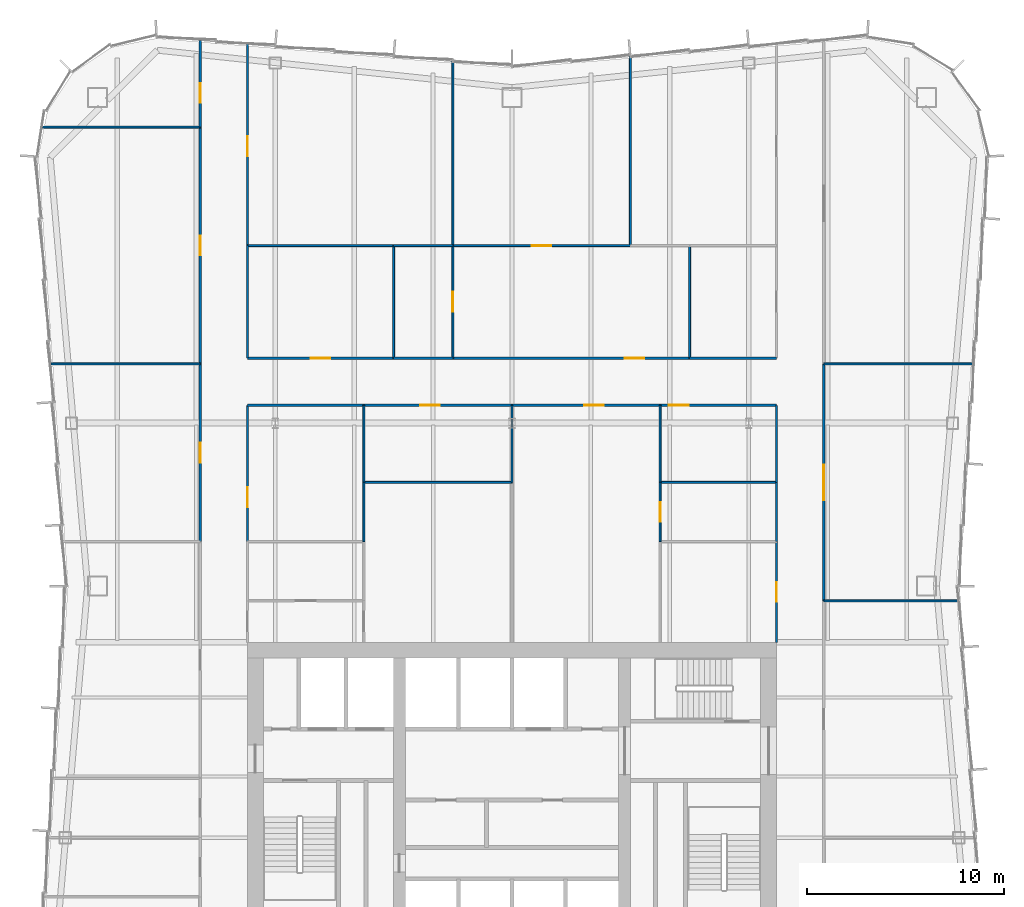
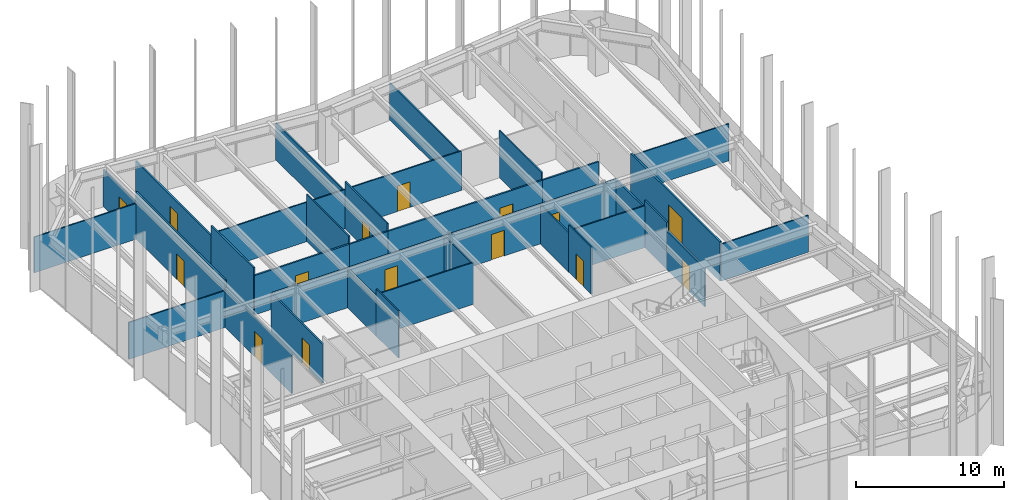
# One storey, part 13 of 15: 37 walls, 15 doors, 15 openings.
"""IFC4 building model written with IfcOpenShell, lengths in metres."""

from ifc_helpers import new_model, si_unit, direction, frame, frame_2d, origin, place, context, subcontext, project, spatial, rectangle, extrude, material, layer, layer_set, type_object, element, fill, save


model = new_model("IFC4")

# Units and contexts
model_context = context("Model", 3, precision=1e-05, world=origin(), true_north=direction((0.0, 1.0)))
body_context = subcontext(model_context, "Body", "Model", "MODEL_VIEW")
ifc_project = project(units=[si_unit("LENGTHUNIT", "METRE"), si_unit("AREAUNIT", "SQUARE_METRE"), si_unit("VOLUMEUNIT", "CUBIC_METRE"), si_unit("PLANEANGLEUNIT", "RADIAN"), si_unit("MASSUNIT", "GRAM", prefix="KILO")], contexts=[model_context])

# Site, building, storey
site_placement = place(None, origin())
site = spatial("IfcSite", under=ifc_project, at=site_placement, CompositionType="ELEMENT")
building_placement = place(site_placement, origin())
building = spatial("IfcBuilding", under=site, at=building_placement, Name="Verdant Reach Tower", CompositionType="ELEMENT")
storey_placement = place(building_placement, frame((0.0, 0.0, 250.0)))
storey = spatial("IfcBuildingStorey", under=building, at=storey_placement, Name="L57", CompositionType="ELEMENT", Elevation=250.0)

# Walls
ifc_material_1 = material(Name="Gypsum board on steel studs", Category="steel")
ifc_layer_1 = layer(ifc_material_1, 0.10009765625)
ifc_layer_set_1 = layer_set([ifc_layer_1], Name="FL-W1 Partition 100")
wall_type_1 = type_object("IfcWallType", Name="FL-W1 Partition 100", PredefinedType="PARTITIONING", material=ifc_layer_set_1)
wall_1_placement = place(storey_placement, frame((-15.800048828125, 52.5, 0.0), z_axis=(0.0, 0.0, 1.0), x_axis=(-1.0, 0.0, 0.0)))
element("IfcWall", 1, at=wall_1_placement, inside=storey, type_object=wall_type_1, Name="Partition 57.39", PredefinedType="PARTITIONING", context=body_context, shape_type="SweptSolid", body=[
    extrude(rectangle(XDim=7.555908203125, YDim=0.10009765625, at=frame_2d((3.77783203125, 0.0))), origin(), (0.0, 0.0, 1.0), 3.0400390625),
])
wall_2_placement = place(storey_placement, frame((-15.800048828125, 64.5, 0.0), z_axis=(0.0, 0.0, 1.0), x_axis=(-1.0, 0.0, 0.0)))
element("IfcWall", 2, at=wall_2_placement, inside=storey, type_object=wall_type_1, Name="Partition 57.40", PredefinedType="PARTITIONING", context=body_context, shape_type="SweptSolid", body=[
    extrude(rectangle(XDim=7.9814453125, YDim=0.10009765625, at=frame_2d((3.99072265625, 0.0))), origin(), (0.0, 0.0, 1.0), 2.929931640625),
])
wall_3_placement = place(storey_placement, frame((22.631591796875, 40.5, 0.0), z_axis=(0.0, 0.0, 1.0), x_axis=(-1.0, 0.0, 0.0)))
element("IfcWall", 3, at=wall_3_placement, inside=storey, type_object=wall_type_1, Name="Partition 57.43", PredefinedType="PARTITIONING", context=body_context, shape_type="SweptSolid", body=[
    extrude(rectangle(XDim=6.83154296875, YDim=0.10009765625, at=frame_2d((3.415771484375, 0.0))), origin(), (0.0, 0.0, 1.0), 3.0400390625),
])
wall_4_placement = place(storey_placement, frame((23.35595703125, 52.5, 0.0), z_axis=(0.0, 0.0, 1.0), x_axis=(-1.0, 0.0, 0.0)))
element("IfcWall", 4, at=wall_4_placement, inside=storey, type_object=wall_type_1, Name="Partition 57.44", PredefinedType="PARTITIONING", context=body_context, shape_type="SweptSolid", body=[
    extrude(rectangle(XDim=7.555908203125, YDim=0.10009765625, at=frame_2d((3.77783203125, 0.0))), origin(), (0.0, 0.0, 1.0), 3.0400390625),
])
wall_5_placement = place(storey_placement, frame((-7.5, 43.49609375, 0.0), z_axis=(0.0, 0.0, 1.0), x_axis=(0.0, 1.0, 0.0)))
element("IfcWall", 5, at=wall_5_placement, inside=storey, type_object=wall_type_1, Name="Partition 57.52", PredefinedType="PARTITIONING", context=body_context, shape_type="SweptSolid", body=[
    extrude(rectangle(XDim=3.00390625, YDim=0.10009765625, at=frame_2d((1.501953125, 0.0))), origin(), (0.0, 0.0, 1.0), 3.8701171875),
])
wall_6_placement = place(storey_placement, frame((-7.5, 46.5, 0.0), z_axis=(0.0, 0.0, 1.0), x_axis=(0.0, 1.0, 0.0)))
element("IfcWall", 6, at=wall_6_placement, inside=storey, type_object=wall_type_1, Name="Partition 57.53", PredefinedType="PARTITIONING", context=body_context, shape_type="SweptSolid", body=[
    extrude(rectangle(XDim=3.89990234375, YDim=0.10009765625, at=frame_2d((1.949951171875, 0.0))), origin(), (0.0, 0.0, 1.0), 3.239990234375),
])
wall_7_placement = place(storey_placement, frame((0.0, 46.5, 0.0), z_axis=(0.0, 0.0, 1.0), x_axis=(-1.0, 0.0, 0.0)))
element("IfcWall", 7, at=wall_7_placement, inside=storey, type_object=wall_type_1, Name="Partition 57.54", PredefinedType="PARTITIONING", context=body_context, shape_type="SweptSolid", body=[
    extrude(rectangle(XDim=7.5, YDim=0.10009765625, at=frame_2d((3.75, 0.0))), origin(), (0.0, 0.0, 1.0), 3.43994140625),
])
wall_8_placement = place(storey_placement, frame((0.0, 46.49609375, 0.0), z_axis=(0.0, 0.0, 1.0), x_axis=(0.0, 1.0, 0.0)))
element("IfcWall", 8, at=wall_8_placement, inside=storey, type_object=wall_type_1, Name="Partition 57.56", PredefinedType="PARTITIONING", context=body_context, shape_type="SweptSolid", body=[
    extrude(rectangle(XDim=3.90380859375, YDim=0.10009765625, at=frame_2d((1.951904296875, 0.0))), origin(), (0.0, 0.0, 1.0), 3.2900390625),
])
wall_9_placement = place(storey_placement, frame((13.39990234375, 46.5, 0.0), z_axis=(0.0, 0.0, 1.0), x_axis=(-1.0, 0.0, 0.0)))
element("IfcWall", 9, at=wall_9_placement, inside=storey, type_object=wall_type_1, Name="Partition 57.59", PredefinedType="PARTITIONING", context=body_context, shape_type="SweptSolid", body=[
    extrude(rectangle(XDim=5.89990234375, YDim=0.10009765625, at=frame_2d((2.949951171875, 0.0))), origin(), (0.0, 0.0, 1.0), 3.43994140625),
])

# Wall, opening, door
wall_10_placement = place(storey_placement, frame((7.5, 46.50390625, 0.0), z_axis=(0.0, 0.0, 1.0), x_axis=(0.0, -1.0, 0.0)))
wall_10 = element("IfcWall", 10, at=wall_10_placement, inside=storey, type_object=wall_type_1, Name="Partition 57.60", PredefinedType="PARTITIONING", context=body_context, shape_type="SweptSolid", body=[
    extrude(rectangle(XDim=3.0078125, YDim=0.10009765625, at=frame_2d((1.50390625, 0.0))), origin(), (0.0, 0.0, 1.0), 3.8701171875),
])
opening_1_placement = place(wall_10_placement, frame((1.00390625, 0.0, 0.0)))
opening_1 = element("IfcOpeningElement", 11, at=opening_1_placement, cuts=wall_10, Name="Opening D3", PredefinedType="OPENING", context=body_context, shape_type="SweptSolid", body=[
    extrude(rectangle(XDim=1.0, YDim=2.10009765625, at=frame_2d((0.5, 1.050048828125))), frame((0.0, 0.06005859375, 0.0), z_axis=(0.0, -1.0, 0.0), x_axis=(1.0, 0.0, 0.0)), (0.0, 0.0, 1.0), 0.1201171875),
])
ifc_material_2 = material(Name="Painted timber door leaf", Category="wood")
door_type_1 = type_object("IfcDoorType", Name="FL-D3 Door 1000x2100", OperationType="NOTDEFINED", PredefinedType="DOOR", material=ifc_material_2)
door_1_placement = place(opening_1_placement, origin())
door_1 = element("IfcDoor", 12, at=door_1_placement, inside=storey, type_object=door_type_1, Name="Door 57-031", OperationType="SINGLE_SWING_LEFT", OverallHeight=2.10009765625, OverallWidth=1.0, PredefinedType="DOOR", context=body_context, shape_type="SweptSolid", body=[
    extrude(rectangle(XDim=1.0, YDim=2.10009765625, at=frame_2d((0.5, 1.050048828125))), frame((0.0, 0.02490234375, 0.0), z_axis=(0.0, -1.0, 0.0), x_axis=(1.0, 0.0, 0.0)), (0.0, 0.0, 1.0), 0.050048828125),
])
fill(opening_1, door_1)

# Walls
wall_11_placement = place(storey_placement, frame((7.5, 50.39990234375, 0.0), z_axis=(0.0, 0.0, 1.0), x_axis=(0.0, -1.0, 0.0)))
element("IfcWall", 13, at=wall_11_placement, inside=storey, type_object=wall_type_1, Name="Partition 57.61", PredefinedType="PARTITIONING", context=body_context, shape_type="SweptSolid", body=[
    extrude(rectangle(XDim=3.90380859375, YDim=0.10009765625, at=frame_2d((1.951904296875, 0.0))), origin(), (0.0, 0.0, 1.0), 3.239990234375),
])
wall_12_placement = place(storey_placement, frame((-6.0, 52.800048828125, 0.0), z_axis=(0.0, 0.0, 1.0), x_axis=(0.0, 1.0, 0.0)))
element("IfcWall", 14, at=wall_12_placement, inside=storey, type_object=wall_type_1, Name="Partition 57.62", PredefinedType="PARTITIONING", context=body_context, shape_type="SweptSolid", body=[
    extrude(rectangle(XDim=5.699951171875, YDim=0.10009765625, at=frame_2d((2.85009765625, 0.0))), origin(), (0.0, 0.0, 1.0), 3.8701171875),
])
wall_13_placement = place(storey_placement, frame((-5.99609375, 58.5, 0.0), z_axis=(0.0, 0.0, 1.0), x_axis=(-1.0, 0.0, 0.0)))
element("IfcWall", 15, at=wall_13_placement, inside=storey, type_object=wall_type_1, Name="Partition 57.63", PredefinedType="PARTITIONING", context=body_context, shape_type="SweptSolid", body=[
    extrude(rectangle(XDim=7.40380859375, YDim=0.10009765625, at=frame_2d((3.701904296875, 0.0))), origin(), (0.0, 0.0, 1.0), 3.239990234375),
])

# Wall, opening, door
wall_14_placement = place(storey_placement, frame((-3.0, 52.800048828125, 0.0), z_axis=(0.0, 0.0, 1.0), x_axis=(0.0, 1.0, 0.0)))
wall_14 = element("IfcWall", 16, at=wall_14_placement, inside=storey, type_object=wall_type_1, Name="Partition 57.64", PredefinedType="PARTITIONING", context=body_context, shape_type="SweptSolid", body=[
    extrude(rectangle(XDim=5.699951171875, YDim=0.10009765625, at=frame_2d((2.85009765625, 0.0))), origin(), (0.0, 0.0, 1.0), 3.8701171875),
])
opening_2_placement = place(wall_14_placement, frame((2.35009765625, 0.0, 0.0)))
opening_2 = element("IfcOpeningElement", 17, at=opening_2_placement, cuts=wall_14, Name="Opening D3", PredefinedType="OPENING", context=body_context, shape_type="SweptSolid", body=[
    extrude(rectangle(XDim=1.0, YDim=2.10009765625, at=frame_2d((0.5, 1.050048828125))), frame((0.0, 0.06005859375, 0.0), z_axis=(0.0, -1.0, 0.0), x_axis=(1.0, 0.0, 0.0)), (0.0, 0.0, 1.0), 0.1201171875),
])
door_2_placement = place(opening_2_placement, origin())
door_2 = element("IfcDoor", 18, at=door_2_placement, inside=storey, type_object=door_type_1, Name="Door 57-032", OperationType="SINGLE_SWING_RIGHT", OverallHeight=2.10009765625, OverallWidth=1.0, PredefinedType="DOOR", context=body_context, shape_type="SweptSolid", body=[
    extrude(rectangle(XDim=1.0, YDim=2.10009765625, at=frame_2d((0.5, 1.050048828125))), frame((0.0, 0.02490234375, 0.0), z_axis=(0.0, -1.0, 0.0), x_axis=(1.0, 0.0, 0.0)), (0.0, 0.0, 1.0), 0.050048828125),
])
fill(opening_2, door_2)

# Walls
wall_15_placement = place(storey_placement, frame((-3.0, 58.5, 0.0), z_axis=(0.0, 0.0, 1.0), x_axis=(-1.0, 0.0, 0.0)))
element("IfcWall", 19, at=wall_15_placement, inside=storey, type_object=wall_type_1, Name="Partition 57.65", PredefinedType="PARTITIONING", context=body_context, shape_type="SweptSolid", body=[
    extrude(rectangle(XDim=3.00390625, YDim=0.10009765625, at=frame_2d((1.501953125, 0.0))), origin(), (0.0, 0.0, 1.0), 3.239990234375),
])
wall_16_placement = place(storey_placement, frame((9.0, 52.800048828125, 0.0), z_axis=(0.0, 0.0, 1.0), x_axis=(0.0, 1.0, 0.0)))
element("IfcWall", 20, at=wall_16_placement, inside=storey, type_object=wall_type_1, Name="Partition 57.66", PredefinedType="PARTITIONING", context=body_context, shape_type="SweptSolid", body=[
    extrude(rectangle(XDim=5.699951171875, YDim=0.10009765625, at=frame_2d((2.85009765625, 0.0))), origin(), (0.0, 0.0, 1.0), 3.8701171875),
])

# Wall, opening, door
wall_17_placement = place(storey_placement, frame((-3.0, 58.5, 0.0), z_axis=(0.0, 0.0, 1.0), x_axis=(1.0, 0.0, 0.0)))
wall_17 = element("IfcWall", 21, at=wall_17_placement, inside=storey, type_object=wall_type_1, Name="Partition 57.67", PredefinedType="PARTITIONING", context=body_context, shape_type="SweptSolid", body=[
    extrude(rectangle(XDim=9.0, YDim=0.10009765625, at=frame_2d((4.5, 0.0))), origin(), (0.0, 0.0, 1.0), 3.239990234375),
])
opening_3_placement = place(wall_17_placement, frame((4.0, 0.0, 0.0)))
opening_3 = element("IfcOpeningElement", 22, at=opening_3_placement, cuts=wall_17, Name="Opening D3", PredefinedType="OPENING", context=body_context, shape_type="SweptSolid", body=[
    extrude(rectangle(XDim=1.0, YDim=2.10009765625, at=frame_2d((0.5, 1.050048828125))), frame((0.0, 0.06005859375, 0.0), z_axis=(0.0, -1.0, 0.0), x_axis=(1.0, 0.0, 0.0)), (0.0, 0.0, 1.0), 0.1201171875),
])
door_3_placement = place(opening_3_placement, origin())
door_3 = element("IfcDoor", 23, at=door_3_placement, inside=storey, type_object=door_type_1, Name="Door 57-033", OperationType="SINGLE_SWING_LEFT", OverallHeight=2.10009765625, OverallWidth=1.0, PredefinedType="DOOR", context=body_context, shape_type="SweptSolid", body=[
    extrude(rectangle(XDim=1.0, YDim=2.10009765625, at=frame_2d((0.5, 1.050048828125))), frame((0.0, 0.02490234375, 0.0), z_axis=(0.0, -1.0, 0.0), x_axis=(1.0, 0.0, 0.0)), (0.0, 0.0, 1.0), 0.050048828125),
])
fill(opening_3, door_3)

# Walls
wall_18_placement = place(storey_placement, frame((-3.0, 58.5, 0.0), z_axis=(0.0, 0.0, 1.0), x_axis=(0.0, 1.0, 0.0)))
element("IfcWall", 24, at=wall_18_placement, inside=storey, type_object=wall_type_1, Name="Partition 57.70", PredefinedType="PARTITIONING", context=body_context, shape_type="SweptSolid", body=[
    extrude(rectangle(XDim=9.330078125, YDim=0.10009765625, at=frame_2d((4.6650390625, 0.0))), origin(), (0.0, 0.0, 1.0), 3.0400390625),
])
wall_19_placement = place(storey_placement, frame((6.0, 58.5, 0.0), z_axis=(0.0, 0.0, 1.0), x_axis=(0.0, 1.0, 0.0)))
element("IfcWall", 25, at=wall_19_placement, inside=storey, type_object=wall_type_1, Name="Partition 57.71", PredefinedType="PARTITIONING", context=body_context, shape_type="SweptSolid", body=[
    extrude(rectangle(XDim=9.580078125, YDim=0.10009765625, at=frame_2d((4.7900390625, 0.0))), origin(), (0.0, 0.0, 1.0), 3.0400390625),
])

# Wall, opening, door
ifc_material_3 = material(Name="Gypsum board on steel studs, fire rated", Category="steel")
ifc_layer_2 = layer(ifc_material_3, 0.125)
ifc_layer_set_2 = layer_set([ifc_layer_2], Name="FL-W2 Corridor wall 125")
wall_type_2 = type_object("IfcWallType", Name="FL-W2 Corridor wall 125", PredefinedType="PARTITIONING", material=ifc_layer_set_2)
wall_20_placement = place(storey_placement, frame((-15.800048828125, 43.5, 0.0), z_axis=(0.0, 0.0, 1.0), x_axis=(0.0, 1.0, 0.0)))
wall_20 = element("IfcWall", 26, at=wall_20_placement, inside=storey, type_object=wall_type_2, Name="Partition 57.06", PredefinedType="PARTITIONING", context=body_context, shape_type="SweptSolid", body=[
    extrude(rectangle(XDim=9.0, YDim=0.125, at=frame_2d((4.5, 0.0))), origin(), (0.0, 0.0, 1.0), 3.239990234375),
])
opening_4_placement = place(wall_20_placement, frame((4.0, 0.0, 0.0)))
opening_4 = element("IfcOpeningElement", 27, at=opening_4_placement, cuts=wall_20, Name="Opening D2", PredefinedType="OPENING", context=body_context, shape_type="SweptSolid", body=[
    extrude(rectangle(XDim=1.0, YDim=2.10009765625, at=frame_2d((0.5, 1.050048828125))), frame((0.0, 0.072509765625, 0.0), z_axis=(0.0, -1.0, 0.0), x_axis=(1.0, 0.0, 0.0)), (0.0, 0.0, 1.0), 0.14501953125),
])
ifc_material_4 = material(Name="Timber door leaf, fire rated", Category="wood")
door_type_2 = type_object("IfcDoorType", Name="FL-D2 Entrance door 1000x2100 FD30", OperationType="NOTDEFINED", PredefinedType="DOOR", material=ifc_material_4)
door_4_placement = place(opening_4_placement, origin())
door_4 = element("IfcDoor", 28, at=door_4_placement, inside=storey, type_object=door_type_2, Name="Door 57-006", OperationType="SINGLE_SWING_RIGHT", OverallHeight=2.10009765625, OverallWidth=1.0, PredefinedType="DOOR", context=body_context, shape_type="SweptSolid", body=[
    extrude(rectangle(XDim=1.0, YDim=2.10009765625, at=frame_2d((0.5, 1.050048828125))), frame((0.0, 0.02490234375, 0.0), z_axis=(0.0, -1.0, 0.0), x_axis=(1.0, 0.0, 0.0)), (0.0, 0.0, 1.0), 0.050048828125),
])
fill(opening_4, door_4)

wall_21_placement = place(storey_placement, frame((-15.800048828125, 52.5, 0.0), z_axis=(0.0, 0.0, 1.0), x_axis=(0.0, 1.0, 0.0)))
wall_21 = element("IfcWall", 29, at=wall_21_placement, inside=storey, type_object=wall_type_2, Name="Partition 57.07", PredefinedType="PARTITIONING", context=body_context, shape_type="SweptSolid", body=[
    extrude(rectangle(XDim=12.0, YDim=0.125, at=frame_2d((6.0, 0.0))), origin(), (0.0, 0.0, 1.0), 3.8701171875),
])
opening_5_placement = place(wall_21_placement, frame((5.5, 0.0, 0.0)))
opening_5 = element("IfcOpeningElement", 30, at=opening_5_placement, cuts=wall_21, Name="Opening D2", PredefinedType="OPENING", context=body_context, shape_type="SweptSolid", body=[
    extrude(rectangle(XDim=1.0, YDim=2.10009765625, at=frame_2d((0.5, 1.050048828125))), frame((0.0, 0.072509765625, 0.0), z_axis=(0.0, -1.0, 0.0), x_axis=(1.0, 0.0, 0.0)), (0.0, 0.0, 1.0), 0.14501953125),
])
door_5_placement = place(opening_5_placement, origin())
door_5 = element("IfcDoor", 31, at=door_5_placement, inside=storey, type_object=door_type_2, Name="Door 57-007", OperationType="SINGLE_SWING_LEFT", OverallHeight=2.10009765625, OverallWidth=1.0, PredefinedType="DOOR", context=body_context, shape_type="SweptSolid", body=[
    extrude(rectangle(XDim=1.0, YDim=2.10009765625, at=frame_2d((0.5, 1.050048828125))), frame((0.0, 0.02490234375, 0.0), z_axis=(0.0, -1.0, 0.0), x_axis=(1.0, 0.0, 0.0)), (0.0, 0.0, 1.0), 0.050048828125),
])
fill(opening_5, door_5)

wall_22_placement = place(storey_placement, frame((-15.800048828125, 64.5, 0.0), z_axis=(0.0, 0.0, 1.0), x_axis=(0.0, 1.0, 0.0)))
wall_22 = element("IfcWall", 32, at=wall_22_placement, inside=storey, type_object=wall_type_2, Name="Partition 57.08", PredefinedType="PARTITIONING", context=body_context, shape_type="SweptSolid", body=[
    extrude(rectangle(XDim=4.396728515625, YDim=0.125, at=frame_2d((2.1982421875, 0.0))), origin(), (0.0, 0.0, 1.0), 3.0400390625),
])
opening_6_placement = place(wall_22_placement, frame((1.233154296875, 0.0, 0.0)))
opening_6 = element("IfcOpeningElement", 33, at=opening_6_placement, cuts=wall_22, Name="Opening D2", PredefinedType="OPENING", context=body_context, shape_type="SweptSolid", body=[
    extrude(rectangle(XDim=1.0, YDim=2.10009765625, at=frame_2d((0.5, 1.050048828125))), frame((0.0, 0.072509765625, 0.0), z_axis=(0.0, -1.0, 0.0), x_axis=(1.0, 0.0, 0.0)), (0.0, 0.0, 1.0), 0.14501953125),
])
door_6_placement = place(opening_6_placement, origin())
door_6 = element("IfcDoor", 34, at=door_6_placement, inside=storey, type_object=door_type_2, Name="Door 57-008", OperationType="SINGLE_SWING_LEFT", OverallHeight=2.10009765625, OverallWidth=1.0, PredefinedType="DOOR", context=body_context, shape_type="SweptSolid", body=[
    extrude(rectangle(XDim=1.0, YDim=2.10009765625, at=frame_2d((0.5, 1.050048828125))), frame((0.0, 0.02490234375, 0.0), z_axis=(0.0, -1.0, 0.0), x_axis=(1.0, 0.0, 0.0)), (0.0, 0.0, 1.0), 0.050048828125),
])
fill(opening_6, door_6)

wall_23_placement = place(storey_placement, frame((15.800048828125, 40.5, 0.0), z_axis=(0.0, 0.0, 1.0), x_axis=(0.0, 1.0, 0.0)))
wall_23 = element("IfcWall", 35, at=wall_23_placement, inside=storey, type_object=wall_type_2, Name="Partition 57.12", PredefinedType="PARTITIONING", context=body_context, shape_type="SweptSolid", body=[
    extrude(rectangle(XDim=12.0, YDim=0.125, at=frame_2d((6.0, 0.0))), origin(), (0.0, 0.0, 1.0), 3.239990234375),
])
opening_7_placement = place(wall_23_placement, frame((5.10009765625, 0.0, 0.0)))
opening_7 = element("IfcOpeningElement", 36, at=opening_7_placement, cuts=wall_23, Name="Opening D4", PredefinedType="OPENING", context=body_context, shape_type="SweptSolid", body=[
    extrude(rectangle(XDim=1.800048828125, YDim=2.10009765625, at=frame_2d((0.89990234375, 1.050048828125))), frame((0.0, 0.072509765625, 0.0), z_axis=(0.0, -1.0, 0.0), x_axis=(1.0, 0.0, 0.0)), (0.0, 0.0, 1.0), 0.14501953125),
])
ifc_material_5 = material(Name="Timber door leaves, fire rated", Category="wood")
door_type_3 = type_object("IfcDoorType", Name="FL-D4 Double door 1800x2100 FD30", OperationType="DOUBLE_DOOR_SINGLE_SWING", PredefinedType="DOOR", material=ifc_material_5)
door_7_placement = place(opening_7_placement, origin())
door_7 = element("IfcDoor", 37, at=door_7_placement, inside=storey, type_object=door_type_3, Name="Door 57-012", OperationType="DOUBLE_DOOR_SINGLE_SWING", OverallHeight=2.10009765625, OverallWidth=1.800048828125, PredefinedType="DOOR", context=body_context, shape_type="SweptSolid", body=[
    extrude(rectangle(XDim=1.800048828125, YDim=2.10009765625, at=frame_2d((0.89990234375, 1.050048828125))), frame((0.0, 0.02490234375, 0.0), z_axis=(0.0, -1.0, 0.0), x_axis=(1.0, 0.0, 0.0)), (0.0, 0.0, 1.0), 0.050048828125),
])
fill(opening_7, door_7)

wall_24_placement = place(storey_placement, frame((-13.39990234375, 50.39990234375, 0.0), z_axis=(0.0, 0.0, 1.0), x_axis=(0.0, -1.0, 0.0)))
wall_24 = element("IfcWall", 38, at=wall_24_placement, inside=storey, type_object=wall_type_2, Name="Partition 57.18", PredefinedType="PARTITIONING", context=body_context, shape_type="SweptSolid", body=[
    extrude(rectangle(XDim=6.89990234375, YDim=0.125, at=frame_2d((3.449951171875, 0.0))), origin(), (0.0, 0.0, 1.0), 3.239990234375),
])
opening_8_placement = place(wall_24_placement, frame((4.14990234375, 0.0, 0.0)))
opening_8 = element("IfcOpeningElement", 39, at=opening_8_placement, cuts=wall_24, Name="Opening D2", PredefinedType="OPENING", context=body_context, shape_type="SweptSolid", body=[
    extrude(rectangle(XDim=1.0, YDim=2.10009765625, at=frame_2d((0.5, 1.050048828125))), frame((0.0, 0.072509765625, 0.0), z_axis=(0.0, -1.0, 0.0), x_axis=(1.0, 0.0, 0.0)), (0.0, 0.0, 1.0), 0.14501953125),
])
door_8_placement = place(opening_8_placement, origin())
door_8 = element("IfcDoor", 40, at=door_8_placement, inside=storey, type_object=door_type_2, Name="Door 57-017", OperationType="SINGLE_SWING_RIGHT", OverallHeight=2.10009765625, OverallWidth=1.0, PredefinedType="DOOR", context=body_context, shape_type="SweptSolid", body=[
    extrude(rectangle(XDim=1.0, YDim=2.10009765625, at=frame_2d((0.5, 1.050048828125))), frame((0.0, 0.02490234375, 0.0), z_axis=(0.0, -1.0, 0.0), x_axis=(1.0, 0.0, 0.0)), (0.0, 0.0, 1.0), 0.050048828125),
])
fill(opening_8, door_8)

# Wall
wall_25_placement = place(storey_placement, frame((-7.5, 50.39990234375, 0.0), z_axis=(0.0, 0.0, 1.0), x_axis=(-1.0, 0.0, 0.0)))
element("IfcWall", 41, at=wall_25_placement, inside=storey, type_object=wall_type_2, Name="Partition 57.19", PredefinedType="PARTITIONING", context=body_context, shape_type="SweptSolid", body=[
    extrude(rectangle(XDim=5.89990234375, YDim=0.125, at=frame_2d((2.949951171875, 0.0))), origin(), (0.0, 0.0, 1.0), 3.239990234375),
])

# Wall, opening, door
wall_26_placement = place(storey_placement, frame((0.0, 50.39990234375, 0.0), z_axis=(0.0, 0.0, 1.0), x_axis=(-1.0, 0.0, 0.0)))
wall_26 = element("IfcWall", 42, at=wall_26_placement, inside=storey, type_object=wall_type_2, Name="Partition 57.20", PredefinedType="PARTITIONING", context=body_context, shape_type="SweptSolid", body=[
    extrude(rectangle(XDim=7.5, YDim=0.125, at=frame_2d((3.75, 0.0))), origin(), (0.0, 0.0, 1.0), 3.239990234375),
])
opening_9_placement = place(wall_26_placement, frame((3.64990234375, 0.0, 0.0)))
opening_9 = element("IfcOpeningElement", 43, at=opening_9_placement, cuts=wall_26, Name="Opening D2", PredefinedType="OPENING", context=body_context, shape_type="SweptSolid", body=[
    extrude(rectangle(XDim=1.0, YDim=2.10009765625, at=frame_2d((0.5, 1.050048828125))), frame((0.0, 0.072509765625, 0.0), z_axis=(0.0, -1.0, 0.0), x_axis=(1.0, 0.0, 0.0)), (0.0, 0.0, 1.0), 0.14501953125),
])
door_9_placement = place(opening_9_placement, origin())
door_9 = element("IfcDoor", 44, at=door_9_placement, inside=storey, type_object=door_type_2, Name="Door 57-018", OperationType="SINGLE_SWING_RIGHT", OverallHeight=2.10009765625, OverallWidth=1.0, PredefinedType="DOOR", context=body_context, shape_type="SweptSolid", body=[
    extrude(rectangle(XDim=1.0, YDim=2.10009765625, at=frame_2d((0.5, 1.050048828125))), frame((0.0, 0.02490234375, 0.0), z_axis=(0.0, -1.0, 0.0), x_axis=(1.0, 0.0, 0.0)), (0.0, 0.0, 1.0), 0.050048828125),
])
fill(opening_9, door_9)

wall_27_placement = place(storey_placement, frame((13.39990234375, 38.39990234375, 0.0), z_axis=(0.0, 0.0, 1.0), x_axis=(0.0, 1.0, 0.0)))
wall_27 = element("IfcWall", 45, at=wall_27_placement, inside=storey, type_object=wall_type_2, Name="Partition 57.21", PredefinedType="PARTITIONING", context=body_context, shape_type="SweptSolid", body=[
    extrude(rectangle(XDim=5.10009765625, YDim=0.125, at=frame_2d((2.550048828125, 0.0))), origin(), (0.0, 0.0, 1.0), 3.139892578125),
])
opening_10_placement = place(wall_27_placement, frame((2.050048828125, 0.0, 0.0)))
opening_10 = element("IfcOpeningElement", 46, at=opening_10_placement, cuts=wall_27, Name="Opening D2", PredefinedType="OPENING", context=body_context, shape_type="SweptSolid", body=[
    extrude(rectangle(XDim=1.0, YDim=2.10009765625, at=frame_2d((0.5, 1.050048828125))), frame((0.0, 0.072509765625, 0.0), z_axis=(0.0, -1.0, 0.0), x_axis=(1.0, 0.0, 0.0)), (0.0, 0.0, 1.0), 0.14501953125),
])
door_10_placement = place(opening_10_placement, origin())
door_10 = element("IfcDoor", 47, at=door_10_placement, inside=storey, type_object=door_type_2, Name="Door 57-019", OperationType="SINGLE_SWING_LEFT", OverallHeight=2.10009765625, OverallWidth=1.0, PredefinedType="DOOR", context=body_context, shape_type="SweptSolid", body=[
    extrude(rectangle(XDim=1.0, YDim=2.10009765625, at=frame_2d((0.5, 1.050048828125))), frame((0.0, 0.02490234375, 0.0), z_axis=(0.0, -1.0, 0.0), x_axis=(1.0, 0.0, 0.0)), (0.0, 0.0, 1.0), 0.050048828125),
])
fill(opening_10, door_10)

# Wall
wall_28_placement = place(storey_placement, frame((13.39990234375, 43.5, 0.0), z_axis=(0.0, 0.0, 1.0), x_axis=(0.0, 1.0, 0.0)))
element("IfcWall", 48, at=wall_28_placement, inside=storey, type_object=wall_type_2, Name="Partition 57.22", PredefinedType="PARTITIONING", context=body_context, shape_type="SweptSolid", body=[
    extrude(rectangle(XDim=3.0, YDim=0.125, at=frame_2d((1.5, 0.0))), origin(), (0.0, 0.0, 1.0), 3.8701171875),
])

# Wall, opening, door
wall_29_placement = place(storey_placement, frame((13.39990234375, 50.39990234375, 0.0), z_axis=(0.0, 0.0, 1.0), x_axis=(-1.0, 0.0, 0.0)))
wall_29 = element("IfcWall", 49, at=wall_29_placement, inside=storey, type_object=wall_type_2, Name="Partition 57.23", PredefinedType="PARTITIONING", context=body_context, shape_type="SweptSolid", body=[
    extrude(rectangle(XDim=5.89990234375, YDim=0.125, at=frame_2d((2.949951171875, 0.0))), origin(), (0.0, 0.0, 1.0), 3.239990234375),
])
opening_11_placement = place(wall_29_placement, frame((4.449951171875, 0.0, 0.0)))
opening_11 = element("IfcOpeningElement", 50, at=opening_11_placement, cuts=wall_29, Name="Opening D2", PredefinedType="OPENING", context=body_context, shape_type="SweptSolid", body=[
    extrude(rectangle(XDim=1.0, YDim=2.10009765625, at=frame_2d((0.5, 1.050048828125))), frame((0.0, 0.072509765625, 0.0), z_axis=(0.0, -1.0, 0.0), x_axis=(1.0, 0.0, 0.0)), (0.0, 0.0, 1.0), 0.14501953125),
])
door_11_placement = place(opening_11_placement, origin())
door_11 = element("IfcDoor", 51, at=door_11_placement, inside=storey, type_object=door_type_2, Name="Door 57-020", OperationType="SINGLE_SWING_RIGHT", OverallHeight=2.10009765625, OverallWidth=1.0, PredefinedType="DOOR", context=body_context, shape_type="SweptSolid", body=[
    extrude(rectangle(XDim=1.0, YDim=2.10009765625, at=frame_2d((0.5, 1.050048828125))), frame((0.0, 0.02490234375, 0.0), z_axis=(0.0, -1.0, 0.0), x_axis=(1.0, 0.0, 0.0)), (0.0, 0.0, 1.0), 0.050048828125),
])
fill(opening_11, door_11)

# Wall
wall_30_placement = place(storey_placement, frame((13.39990234375, 46.5, 0.0), z_axis=(0.0, 0.0, 1.0), x_axis=(0.0, 1.0, 0.0)))
element("IfcWall", 52, at=wall_30_placement, inside=storey, type_object=wall_type_2, Name="Partition 57.24", PredefinedType="PARTITIONING", context=body_context, shape_type="SweptSolid", body=[
    extrude(rectangle(XDim=3.89990234375, YDim=0.125, at=frame_2d((1.949951171875, 0.0))), origin(), (0.0, 0.0, 1.0), 3.239990234375),
])

# Wall, opening, door
wall_31_placement = place(storey_placement, frame((7.5, 50.39990234375, 0.0), z_axis=(0.0, 0.0, 1.0), x_axis=(-1.0, 0.0, 0.0)))
wall_31 = element("IfcWall", 53, at=wall_31_placement, inside=storey, type_object=wall_type_2, Name="Partition 57.25", PredefinedType="PARTITIONING", context=body_context, shape_type="SweptSolid", body=[
    extrude(rectangle(XDim=7.5, YDim=0.125, at=frame_2d((3.75, 0.0))), origin(), (0.0, 0.0, 1.0), 3.239990234375),
])
opening_12_placement = place(wall_31_placement, frame((2.85009765625, 0.0, 0.0)))
opening_12 = element("IfcOpeningElement", 54, at=opening_12_placement, cuts=wall_31, Name="Opening D2", PredefinedType="OPENING", context=body_context, shape_type="SweptSolid", body=[
    extrude(rectangle(XDim=1.0, YDim=2.10009765625, at=frame_2d((0.5, 1.050048828125))), frame((0.0, 0.072509765625, 0.0), z_axis=(0.0, -1.0, 0.0), x_axis=(1.0, 0.0, 0.0)), (0.0, 0.0, 1.0), 0.14501953125),
])
door_12_placement = place(opening_12_placement, origin())
door_12 = element("IfcDoor", 55, at=door_12_placement, inside=storey, type_object=door_type_2, Name="Door 57-021", OperationType="SINGLE_SWING_LEFT", OverallHeight=2.10009765625, OverallWidth=1.0, PredefinedType="DOOR", context=body_context, shape_type="SweptSolid", body=[
    extrude(rectangle(XDim=1.0, YDim=2.10009765625, at=frame_2d((0.5, 1.050048828125))), frame((0.0, 0.02490234375, 0.0), z_axis=(0.0, -1.0, 0.0), x_axis=(1.0, 0.0, 0.0)), (0.0, 0.0, 1.0), 0.050048828125),
])
fill(opening_12, door_12)

wall_32_placement = place(storey_placement, frame((-13.39990234375, 52.800048828125, 0.0), z_axis=(0.0, 0.0, 1.0), x_axis=(1.0, 0.0, 0.0)))
wall_32 = element("IfcWall", 56, at=wall_32_placement, inside=storey, type_object=wall_type_2, Name="Partition 57.26", PredefinedType="PARTITIONING", context=body_context, shape_type="SweptSolid", body=[
    extrude(rectangle(XDim=7.39990234375, YDim=0.125, at=frame_2d((3.699951171875, 0.0))), origin(), (0.0, 0.0, 1.0), 3.239990234375),
])
opening_13_placement = place(wall_32_placement, frame((3.199951171875, 0.0, 0.0)))
opening_13 = element("IfcOpeningElement", 57, at=opening_13_placement, cuts=wall_32, Name="Opening D2", PredefinedType="OPENING", context=body_context, shape_type="SweptSolid", body=[
    extrude(rectangle(XDim=1.0, YDim=2.10009765625, at=frame_2d((0.5, 1.050048828125))), frame((0.0, 0.072509765625, 0.0), z_axis=(0.0, -1.0, 0.0), x_axis=(1.0, 0.0, 0.0)), (0.0, 0.0, 1.0), 0.14501953125),
])
door_13_placement = place(opening_13_placement, origin())
door_13 = element("IfcDoor", 58, at=door_13_placement, inside=storey, type_object=door_type_2, Name="Door 57-022", OperationType="SINGLE_SWING_RIGHT", OverallHeight=2.10009765625, OverallWidth=1.0, PredefinedType="DOOR", context=body_context, shape_type="SweptSolid", body=[
    extrude(rectangle(XDim=1.0, YDim=2.10009765625, at=frame_2d((0.5, 1.050048828125))), frame((0.0, 0.02490234375, 0.0), z_axis=(0.0, -1.0, 0.0), x_axis=(1.0, 0.0, 0.0)), (0.0, 0.0, 1.0), 0.050048828125),
])
fill(opening_13, door_13)

# Walls
wall_33_placement = place(storey_placement, frame((-13.39990234375, 52.800048828125, 0.0), z_axis=(0.0, 0.0, 1.0), x_axis=(0.0, 1.0, 0.0)))
element("IfcWall", 59, at=wall_33_placement, inside=storey, type_object=wall_type_2, Name="Partition 57.27", PredefinedType="PARTITIONING", context=body_context, shape_type="SweptSolid", body=[
    extrude(rectangle(XDim=5.699951171875, YDim=0.125, at=frame_2d((2.85009765625, 0.0))), origin(), (0.0, 0.0, 1.0), 3.8701171875),
])
wall_34_placement = place(storey_placement, frame((-3.0, 52.800048828125, 0.0), z_axis=(0.0, 0.0, 1.0), x_axis=(-1.0, 0.0, 0.0)))
element("IfcWall", 60, at=wall_34_placement, inside=storey, type_object=wall_type_2, Name="Partition 57.28", PredefinedType="PARTITIONING", context=body_context, shape_type="SweptSolid", body=[
    extrude(rectangle(XDim=3.0, YDim=0.125, at=frame_2d((1.5, 0.0))), origin(), (0.0, 0.0, 1.0), 3.239990234375),
])

# Wall, opening, door
wall_35_placement = place(storey_placement, frame((9.0, 52.800048828125, 0.0), z_axis=(0.0, 0.0, 1.0), x_axis=(-1.0, 0.0, 0.0)))
wall_35 = element("IfcWall", 61, at=wall_35_placement, inside=storey, type_object=wall_type_2, Name="Partition 57.29", PredefinedType="PARTITIONING", context=body_context, shape_type="SweptSolid", body=[
    extrude(rectangle(XDim=12.0, YDim=0.125, at=frame_2d((6.0, 0.0))), origin(), (0.0, 0.0, 1.0), 3.239990234375),
])
opening_14_placement = place(wall_35_placement, frame((2.300048828125, 0.0, 0.0)))
opening_14 = element("IfcOpeningElement", 62, at=opening_14_placement, cuts=wall_35, Name="Opening D2", PredefinedType="OPENING", context=body_context, shape_type="SweptSolid", body=[
    extrude(rectangle(XDim=1.0, YDim=2.10009765625, at=frame_2d((0.5, 1.050048828125))), frame((0.0, 0.072509765625, 0.0), z_axis=(0.0, -1.0, 0.0), x_axis=(1.0, 0.0, 0.0)), (0.0, 0.0, 1.0), 0.14501953125),
])
door_14_placement = place(opening_14_placement, origin())
door_14 = element("IfcDoor", 63, at=door_14_placement, inside=storey, type_object=door_type_2, Name="Door 57-023", OperationType="SINGLE_SWING_LEFT", OverallHeight=2.10009765625, OverallWidth=1.0, PredefinedType="DOOR", context=body_context, shape_type="SweptSolid", body=[
    extrude(rectangle(XDim=1.0, YDim=2.10009765625, at=frame_2d((0.5, 1.050048828125))), frame((0.0, 0.02490234375, 0.0), z_axis=(0.0, -1.0, 0.0), x_axis=(1.0, 0.0, 0.0)), (0.0, 0.0, 1.0), 0.050048828125),
])
fill(opening_14, door_14)

# Wall
wall_36_placement = place(storey_placement, frame((13.39990234375, 52.800048828125, 0.0), z_axis=(0.0, 0.0, 1.0), x_axis=(-1.0, 0.0, 0.0)))
element("IfcWall", 64, at=wall_36_placement, inside=storey, type_object=wall_type_2, Name="Partition 57.31", PredefinedType="PARTITIONING", context=body_context, shape_type="SweptSolid", body=[
    extrude(rectangle(XDim=4.39990234375, YDim=0.125, at=frame_2d((2.199951171875, 0.0))), origin(), (0.0, 0.0, 1.0), 3.239990234375),
])

# Wall, opening, door
wall_37_placement = place(storey_placement, frame((-13.39990234375, 68.69677734375, 0.0), z_axis=(0.0, 0.0, 1.0), x_axis=(0.0, -1.0, 0.0)))
wall_37 = element("IfcWall", 65, at=wall_37_placement, inside=storey, type_object=wall_type_2, Name="Partition 57.32", PredefinedType="PARTITIONING", context=body_context, shape_type="SweptSolid", body=[
    extrude(rectangle(XDim=10.19677734375, YDim=0.125, at=frame_2d((5.098388671875, 0.0))), origin(), (0.0, 0.0, 1.0), 3.0400390625),
])
opening_15_placement = place(wall_37_placement, frame((4.663330078125, 0.0, 0.0)))
opening_15 = element("IfcOpeningElement", 66, at=opening_15_placement, cuts=wall_37, Name="Opening D2", PredefinedType="OPENING", context=body_context, shape_type="SweptSolid", body=[
    extrude(rectangle(XDim=1.0, YDim=2.10009765625, at=frame_2d((0.5, 1.050048828125))), frame((0.0, 0.072509765625, 0.0), z_axis=(0.0, -1.0, 0.0), x_axis=(1.0, 0.0, 0.0)), (0.0, 0.0, 1.0), 0.14501953125),
])
door_15_placement = place(opening_15_placement, origin())
door_15 = element("IfcDoor", 67, at=door_15_placement, inside=storey, type_object=door_type_2, Name="Door 57-025", OperationType="SINGLE_SWING_RIGHT", OverallHeight=2.10009765625, OverallWidth=1.0, PredefinedType="DOOR", context=body_context, shape_type="SweptSolid", body=[
    extrude(rectangle(XDim=1.0, YDim=2.10009765625, at=frame_2d((0.5, 1.050048828125))), frame((0.0, 0.02490234375, 0.0), z_axis=(0.0, -1.0, 0.0), x_axis=(1.0, 0.0, 0.0)), (0.0, 0.0, 1.0), 0.050048828125),
])
fill(opening_15, door_15)

save(model, "model.ifc")
